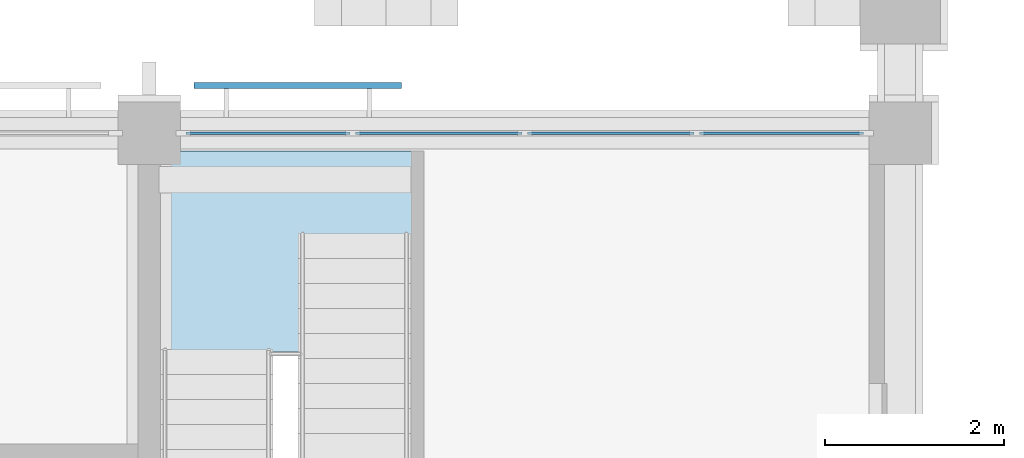
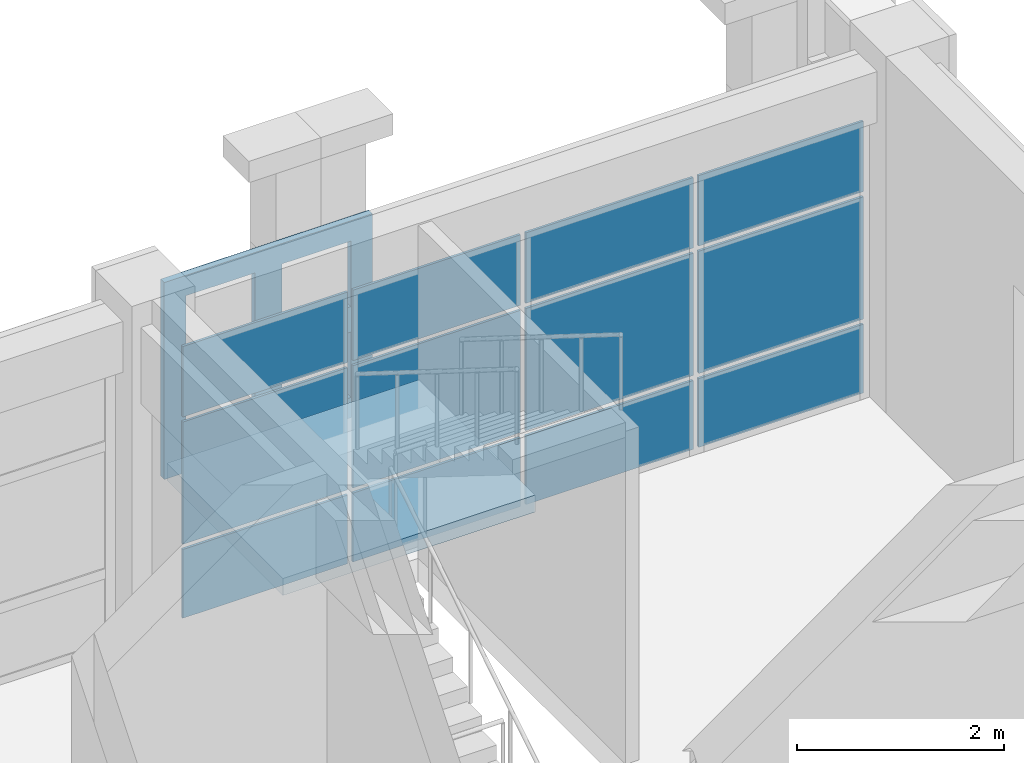
# One storey, part 52 of 99: 13 plates, 1 slab, 2 elements without a shape of their own.
"""IFC4 building model written with IfcOpenShell, lengths in metres."""

from ifc_helpers import new_model, si_unit, direction, frame, origin, origin_2d, place, context, subcontext, project, spatial, polyline, rectangle, outline, extrude, material, layer, layer_set, material_profile, profile_set, type_object, element, aggregate, save


model = new_model("IFC4")

# Units and contexts
model_context = context("Model", 3, precision=1e-05, world=origin(), true_north=direction((0.0, 1.0)))
body_context = subcontext(model_context, "Body", "Model", "MODEL_VIEW")
ifc_project = project(units=[si_unit("LENGTHUNIT", "METRE"), si_unit("AREAUNIT", "SQUARE_METRE"), si_unit("VOLUMEUNIT", "CUBIC_METRE"), si_unit("PLANEANGLEUNIT", "RADIAN"), si_unit("MASSUNIT", "GRAM", prefix="KILO")], contexts=[model_context])

# Site, building, storey
site_placement = place(None, origin())
site = spatial("IfcSite", under=ifc_project, at=site_placement, CompositionType="ELEMENT")
building_placement = place(site_placement, origin())
building = spatial("IfcBuilding", under=site, at=building_placement, Name="Wasatch Bagh Community Centre", CompositionType="ELEMENT")
storey_placement = place(building_placement, frame((0.0, 0.0, 4.199951171875)))
storey = spatial("IfcBuildingStorey", under=building, at=storey_placement, Name="L01", CompositionType="ELEMENT", Elevation=4.199951171875)

# Curtain wall, plates
ifc_material_1 = material(Name="Aluminium curtain wall frame with low-iron glass", Category="aluminium")
ifc_layer_1 = layer(ifc_material_1, 0.10009765625)
ifc_layer_set_1 = layer_set([ifc_layer_1], Name="Aluminium curtain wall frame with low-iron glass")
curtain_wall_type = type_object("IfcCurtainWallType", Name="LW curtain wall 100", PredefinedType="NOTDEFINED", material=ifc_layer_set_1)
curtain_wall_placement = place(storey_placement, origin())
curtain_wall = element("IfcCurtainWall", 1, at=curtain_wall_placement, inside=storey, type_object=curtain_wall_type, Name="Curtain wall 01.07", PredefinedType="NOTDEFINED")
ifc_material_2 = material(Name="Low-iron insulated glass", Category="glass")
ifc_layer_2 = layer(ifc_material_2, 0.028076171875)
ifc_layer_set_2 = layer_set([ifc_layer_2], Name="Low-iron insulated glass")
plate_type_1 = type_object("IfcPlateType", Name="LW curtain wall panel 28", PredefinedType="CURTAIN_PANEL", material=ifc_layer_set_2)
plate_1_placement = place(storey_placement, frame((132.527587890625, 97.800048828125, 0.06005859375), z_axis=(0.0, 0.0, 1.0), x_axis=(1.0, 0.0, 0.0)))
plate_1 = element("IfcPlate", 2, at=plate_1_placement, type_object=plate_type_1, Name="LW-CW1 panel 1.1", PredefinedType="CURTAIN_PANEL", context=body_context, shape_type="SweptSolid", body=[
    extrude(rectangle(XDim=1.8349609375, YDim=0.028076171875, at=origin_2d()), origin(), (0.0, 0.0, 1.0), 0.81005859375),
])
plate_2_placement = place(storey_placement, frame((132.527587890625, 97.800048828125, 0.93017578125), z_axis=(0.0, 0.0, 1.0), x_axis=(1.0, 0.0, 0.0)))
plate_2 = element("IfcPlate", 3, at=plate_2_placement, type_object=plate_type_1, Name="LW-CW1 panel 1.2", PredefinedType="CURTAIN_PANEL", context=body_context, shape_type="SweptSolid", body=[
    extrude(rectangle(XDim=1.8349609375, YDim=0.028076171875, at=origin_2d()), origin(), (0.0, 0.0, 1.0), 1.43994140625),
])
plate_3_placement = place(storey_placement, frame((132.527587890625, 97.800048828125, 2.429931640625), z_axis=(0.0, 0.0, 1.0), x_axis=(1.0, 0.0, 0.0)))
plate_3 = element("IfcPlate", 4, at=plate_3_placement, type_object=plate_type_1, Name="LW-CW1 panel 1.3", PredefinedType="CURTAIN_PANEL", context=body_context, shape_type="SweptSolid", body=[
    extrude(rectangle(XDim=1.8349609375, YDim=0.028076171875, at=origin_2d()), origin(), (0.0, 0.0, 1.0), 0.830078125),
])
plate_4_placement = place(storey_placement, frame((134.4375, 97.800048828125, 0.06005859375), z_axis=(0.0, 0.0, 1.0), x_axis=(1.0, 0.0, 0.0)))
plate_4 = element("IfcPlate", 5, at=plate_4_placement, type_object=plate_type_1, Name="LW-CW1 panel 2.1", PredefinedType="CURTAIN_PANEL", context=body_context, shape_type="SweptSolid", body=[
    extrude(rectangle(XDim=1.864990234375, YDim=0.028076171875, at=origin_2d()), origin(), (0.0, 0.0, 1.0), 0.81005859375),
])
plate_5_placement = place(storey_placement, frame((134.4375, 97.800048828125, 0.93017578125), z_axis=(0.0, 0.0, 1.0), x_axis=(1.0, 0.0, 0.0)))
plate_5 = element("IfcPlate", 6, at=plate_5_placement, type_object=plate_type_1, Name="LW-CW1 panel 2.2", PredefinedType="CURTAIN_PANEL", context=body_context, shape_type="SweptSolid", body=[
    extrude(rectangle(XDim=1.864990234375, YDim=0.028076171875, at=origin_2d()), origin(), (0.0, 0.0, 1.0), 1.43994140625),
])
plate_6_placement = place(storey_placement, frame((134.4375, 97.800048828125, 2.429931640625), z_axis=(0.0, 0.0, 1.0), x_axis=(1.0, 0.0, 0.0)))
plate_6 = element("IfcPlate", 7, at=plate_6_placement, type_object=plate_type_1, Name="LW-CW1 panel 2.3", PredefinedType="CURTAIN_PANEL", context=body_context, shape_type="SweptSolid", body=[
    extrude(rectangle(XDim=1.864990234375, YDim=0.028076171875, at=origin_2d()), origin(), (0.0, 0.0, 1.0), 0.830078125),
])
plate_7_placement = place(storey_placement, frame((136.362548828125, 97.800048828125, 0.06005859375), z_axis=(0.0, 0.0, 1.0), x_axis=(1.0, 0.0, 0.0)))
plate_7 = element("IfcPlate", 8, at=plate_7_placement, type_object=plate_type_1, Name="LW-CW1 panel 3.1", PredefinedType="CURTAIN_PANEL", context=body_context, shape_type="SweptSolid", body=[
    extrude(rectangle(XDim=1.864990234375, YDim=0.028076171875, at=origin_2d()), origin(), (0.0, 0.0, 1.0), 0.81005859375),
])
plate_8_placement = place(storey_placement, frame((136.362548828125, 97.800048828125, 0.93017578125), z_axis=(0.0, 0.0, 1.0), x_axis=(1.0, 0.0, 0.0)))
plate_8 = element("IfcPlate", 9, at=plate_8_placement, type_object=plate_type_1, Name="LW-CW1 panel 3.2", PredefinedType="CURTAIN_PANEL", context=body_context, shape_type="SweptSolid", body=[
    extrude(rectangle(XDim=1.864990234375, YDim=0.028076171875, at=origin_2d()), origin(), (0.0, 0.0, 1.0), 1.43994140625),
])
plate_9_placement = place(storey_placement, frame((136.362548828125, 97.800048828125, 2.429931640625), z_axis=(0.0, 0.0, 1.0), x_axis=(1.0, 0.0, 0.0)))
plate_9 = element("IfcPlate", 10, at=plate_9_placement, type_object=plate_type_1, Name="LW-CW1 panel 3.3", PredefinedType="CURTAIN_PANEL", context=body_context, shape_type="SweptSolid", body=[
    extrude(rectangle(XDim=1.864990234375, YDim=0.028076171875, at=origin_2d()), origin(), (0.0, 0.0, 1.0), 0.830078125),
])
plate_10_placement = place(storey_placement, frame((138.2724609375, 97.800048828125, 0.06005859375), z_axis=(0.0, 0.0, 1.0), x_axis=(1.0, 0.0, 0.0)))
plate_10 = element("IfcPlate", 11, at=plate_10_placement, type_object=plate_type_1, Name="LW-CW1 panel 4.1", PredefinedType="CURTAIN_PANEL", context=body_context, shape_type="SweptSolid", body=[
    extrude(rectangle(XDim=1.8349609375, YDim=0.028076171875, at=origin_2d()), origin(), (0.0, 0.0, 1.0), 0.81005859375),
])
plate_11_placement = place(storey_placement, frame((138.2724609375, 97.800048828125, 0.93017578125), z_axis=(0.0, 0.0, 1.0), x_axis=(1.0, 0.0, 0.0)))
plate_11 = element("IfcPlate", 12, at=plate_11_placement, type_object=plate_type_1, Name="LW-CW1 panel 4.2", PredefinedType="CURTAIN_PANEL", context=body_context, shape_type="SweptSolid", body=[
    extrude(rectangle(XDim=1.8349609375, YDim=0.028076171875, at=origin_2d()), origin(), (0.0, 0.0, 1.0), 1.43994140625),
])
plate_12_placement = place(storey_placement, frame((138.2724609375, 97.800048828125, 2.429931640625), z_axis=(0.0, 0.0, 1.0), x_axis=(1.0, 0.0, 0.0)))
plate_12 = element("IfcPlate", 13, at=plate_12_placement, type_object=plate_type_1, Name="LW-CW1 panel 4.3", PredefinedType="CURTAIN_PANEL", context=body_context, shape_type="SweptSolid", body=[
    extrude(rectangle(XDim=1.8349609375, YDim=0.028076171875, at=origin_2d()), origin(), (0.0, 0.0, 1.0), 0.830078125),
])
aggregate(curtain_wall, [plate_1, plate_2, plate_3, plate_4, plate_5, plate_6, plate_7, plate_8, plate_9, plate_10, plate_11, plate_12])

# Plate
ifc_material_3 = material(Name="Precast concrete C40/50", Category="concrete")
ifc_material_profile = material_profile(ifc_material_3, outline(polyline([(-1.159912109375, -1.159912109375), (1.159912109375, -1.159912109375), (1.159912109375, 1.159912109375), (-1.159912109375, 1.159912109375), (-1.159912109375, -1.159912109375)]), holes=[polyline([(-0.919921875, -0.919921875), (-0.14990234375, -0.919921875), (-0.14990234375, -0.14990234375), (-0.919921875, -0.14990234375), (-0.919921875, -0.919921875)]), polyline([(-0.919921875, 0.14990234375), (-0.14990234375, 0.14990234375), (-0.14990234375, 0.919921875), (-0.919921875, 0.919921875), (-0.919921875, 0.14990234375)]), polyline([(0.14990234375, -0.919921875), (0.919921875, -0.919921875), (0.919921875, -0.14990234375), (0.14990234375, -0.14990234375), (0.14990234375, -0.919921875)]), polyline([(0.14990234375, 0.14990234375), (0.919921875, 0.14990234375), (0.919921875, 0.919921875), (0.14990234375, 0.919921875), (0.14990234375, 0.14990234375)])]), Name="Jali lattice")
ifc_profile_set = profile_set([ifc_material_profile], Name="Precast concrete C40/50")
plate_type_2 = type_object("IfcPlateType", Name="LW jali panel 2320x2320", PredefinedType="SHEET", material=ifc_profile_set)
plate_13_placement = place(storey_placement, frame((132.860107421875, 98.300048828125, 2.510009765625), z_axis=(0.0, 1.0, 0.0), x_axis=(-1.0, 0.0, 0.0)))
element("IfcPlate", 14, at=plate_13_placement, inside=storey, type_object=plate_type_2, Name="Jali panel", PredefinedType="SHEET", context=body_context, shape_type="SweptSolid", body=[
    extrude(outline(polyline([(-1.159912109375, -1.159912109375), (1.159912109375, -1.159912109375), (1.159912109375, 1.159912109375), (-1.159912109375, 1.159912109375), (-1.159912109375, -1.159912109375)]), holes=[polyline([(-0.919921875, -0.919921875), (-0.14990234375, -0.919921875), (-0.14990234375, -0.14990234375), (-0.919921875, -0.14990234375), (-0.919921875, -0.919921875)]), polyline([(-0.919921875, 0.14990234375), (-0.14990234375, 0.14990234375), (-0.14990234375, 0.919921875), (-0.919921875, 0.919921875), (-0.919921875, 0.14990234375)]), polyline([(0.14990234375, -0.919921875), (0.919921875, -0.919921875), (0.919921875, -0.14990234375), (0.14990234375, -0.14990234375), (0.14990234375, -0.919921875)]), polyline([(0.14990234375, 0.14990234375), (0.919921875, 0.14990234375), (0.919921875, 0.919921875), (0.14990234375, 0.919921875), (0.14990234375, 0.14990234375)])]), origin(), (0.0, 0.0, 1.0), 0.070068359375),
])

# Stair, slab
ifc_material_4 = material(Name="Concrete C35", Category="concrete")
stair_type = type_object("IfcStairType", Name="LW core stair", PredefinedType="HALF_TURN_STAIR", material=ifc_material_4)
stair_placement = place(storey_placement, origin())
stair = element("IfcStair", 15, at=stair_placement, inside=storey, type_object=stair_type, Name="Stair East Stair", PredefinedType="HALF_TURN_STAIR")
ifc_layer_3 = layer(ifc_material_4, 0.199951171875)
ifc_layer_set_3 = layer_set([ifc_layer_3], Name="Concrete C35")
slab_type = type_object("IfcSlabType", Name="LW stair landing 200", PredefinedType="LANDING", material=ifc_layer_set_3)
slab_placement = place(storey_placement, frame((0.0, 0.0, 1.900146484375)))
slab = element("IfcSlab", 16, at=slab_placement, type_object=slab_type, Name="ST-ES-1 landing 1", PredefinedType="LANDING", context=body_context, shape_type="SweptSolid", body=[
    extrude(outline(polyline([(131.324951171875, 95.360107421875), (134.135009765625, 95.360107421875), (134.135009765625, 97.60009765625), (131.324951171875, 97.60009765625), (131.324951171875, 95.360107421875)])), origin(), (0.0, 0.0, 1.0), 0.199951171875),
])
aggregate(stair, [slab])

save(model, "model.ifc")
